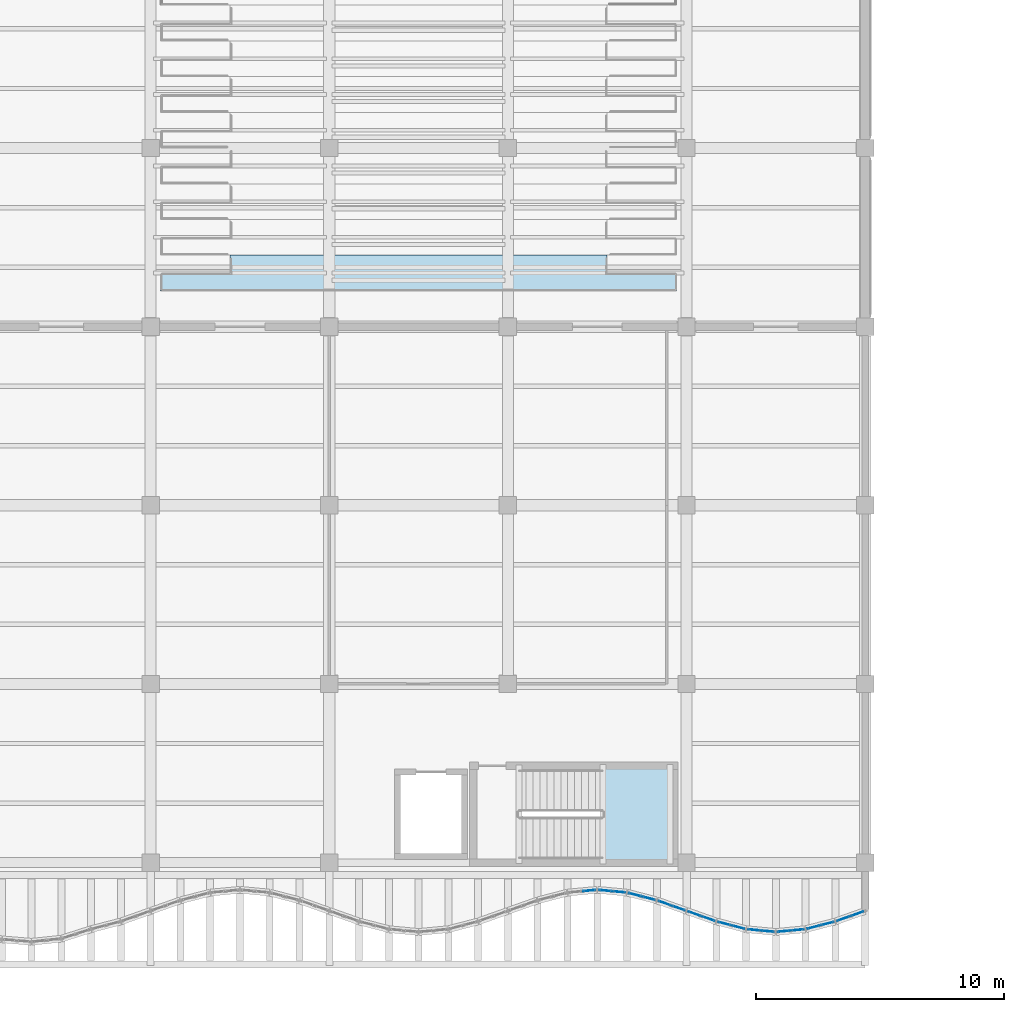
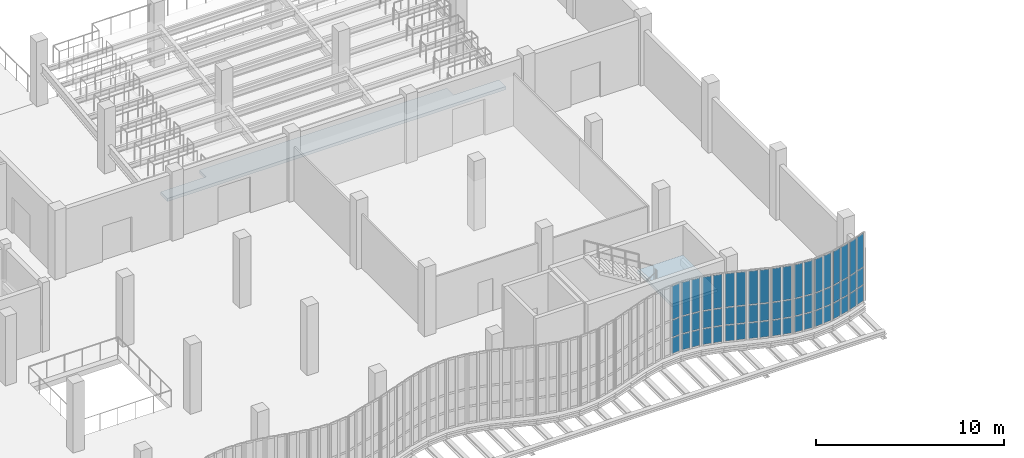
# One storey, part 82 of 108: 57 plates, 2 slabs, 11 elements without a shape of their own.
"""IFC4 building model written with IfcOpenShell, lengths in metres."""

from ifc_helpers import new_model, si_unit, direction, frame, origin, origin_2d, place, context, subcontext, project, spatial, polyline, rectangle, outline, extrude, material, layer, layer_set, type_object, element, aggregate, save


model = new_model("IFC4")

# Units and contexts
model_context = context("Model", 3, precision=1e-05, world=origin(), true_north=direction((0.0, 1.0)))
body_context = subcontext(model_context, "Body", "Model", "MODEL_VIEW")
ifc_project = project(units=[si_unit("LENGTHUNIT", "METRE"), si_unit("AREAUNIT", "SQUARE_METRE"), si_unit("VOLUMEUNIT", "CUBIC_METRE"), si_unit("PLANEANGLEUNIT", "RADIAN"), si_unit("MASSUNIT", "GRAM", prefix="KILO"), si_unit("THERMODYNAMICTEMPERATUREUNIT", "KELVIN"), si_unit("POWERUNIT", "WATT")], contexts=[model_context])

# Site, building, storey
site_placement = place(None, origin())
site = spatial("IfcSite", under=ifc_project, at=site_placement, CompositionType="ELEMENT")
building_placement = place(site_placement, origin())
building = spatial("IfcBuilding", under=site, at=building_placement, Name="Kaldorven Railside Theatre", CompositionType="ELEMENT")
storey_placement = place(building_placement, frame((0.0, 0.0, 5.39990234375)))
storey = spatial("IfcBuildingStorey", under=building, at=storey_placement, Name="L01", CompositionType="ELEMENT", Elevation=5.39990234375)

# Curtain wall, plates
ifc_material_1 = material(Name="Low-E laminated solar-control glass", Category="glass")
ifc_layer_1 = layer(ifc_material_1, 0.159912109375, Name="Low-E laminated solar-control glass")
ifc_layer_set_1 = layer_set([ifc_layer_1], Name="Low-E laminated solar-control glass")
curtain_wall_type_1 = type_object("IfcCurtainWallType", Name="CWT-03", PredefinedType="USERDEFINED", material=ifc_layer_set_1)
curtain_wall_1_placement = place(storey_placement, origin())
curtain_wall_1 = element("IfcCurtainWall", 1, at=curtain_wall_1_placement, inside=storey, type_object=curtain_wall_type_1, Name="Sinusoidal Fluted Curtain Wall CW-L01-S63", ObjectType="FLUTED GLAZING", PredefinedType="USERDEFINED")
ifc_layer_2 = layer(ifc_material_1, 0.028076171875, Name="Low-E laminated solar-control glass")
ifc_layer_set_2 = layer_set([ifc_layer_2], Name="Low-E laminated solar-control glass")
plate_type = type_object("IfcPlateType", Name="CWP-GLZ28", PredefinedType="CURTAIN_PANEL", material=ifc_layer_set_2)
plate_1_placement = place(storey_placement, frame((112.080078125, 18.069580078125, 0.06005859375), z_axis=(0.0, 0.0, 1.0), x_axis=(0.995525623425, 0.094491973758, 0.0)))
plate_1 = element("IfcPlate", 2, at=plate_1_placement, type_object=plate_type, Name="CW-L01-S63 panel 2.1", PredefinedType="CURTAIN_PANEL", context=body_context, shape_type="SweptSolid", body=[
    extrude(rectangle(XDim=0.482666015625, YDim=0.028076171875, at=origin_2d()), origin(), (0.0, 0.0, 1.0), 1.010009765625),
])
plate_2_placement = place(storey_placement, frame((112.080078125, 18.069580078125, 1.1298828125), z_axis=(0.0, 0.0, 1.0), x_axis=(0.995525623425, 0.094491973758, 0.0)))
plate_2 = element("IfcPlate", 3, at=plate_2_placement, type_object=plate_type, Name="CW-L01-S63 panel 2.2", PredefinedType="CURTAIN_PANEL", context=body_context, shape_type="SweptSolid", body=[
    extrude(rectangle(XDim=0.482666015625, YDim=0.028076171875, at=origin_2d()), origin(), (0.0, 0.0, 1.0), 1.090087890625),
])
plate_3_placement = place(storey_placement, frame((112.080078125, 18.069580078125, 2.2802734375), z_axis=(0.0, 0.0, 1.0), x_axis=(0.995525623425, 0.094491973758, 0.0)))
plate_3 = element("IfcPlate", 4, at=plate_3_placement, type_object=plate_type, Name="CW-L01-S63 panel 2.3", PredefinedType="CURTAIN_PANEL", context=body_context, shape_type="SweptSolid", body=[
    extrude(rectangle(XDim=0.482666015625, YDim=0.028076171875, at=origin_2d()), origin(), (0.0, 0.0, 1.0), 2.159912109375),
])
aggregate(curtain_wall_1, [plate_1, plate_2, plate_3])

curtain_wall_2_placement = place(storey_placement, origin())
curtain_wall_2 = element("IfcCurtainWall", 5, at=curtain_wall_2_placement, inside=storey, type_object=curtain_wall_type_1, Name="Sinusoidal Fluted Curtain Wall CW-L01-S64", ObjectType="FLUTED GLAZING", PredefinedType="USERDEFINED")
plate_4_placement = place(storey_placement, frame((112.719970703125, 18.069580078125, 0.06005859375), z_axis=(0.0, 0.0, 1.0), x_axis=(0.995525623425, -0.094491973758, 0.0)))
plate_4 = element("IfcPlate", 6, at=plate_4_placement, type_object=plate_type, Name="CW-L01-S64 panel 1.1", PredefinedType="CURTAIN_PANEL", context=body_context, shape_type="SweptSolid", body=[
    extrude(rectangle(XDim=0.482666015625, YDim=0.028076171875, at=origin_2d()), origin(), (0.0, 0.0, 1.0), 1.010009765625),
])
plate_5_placement = place(storey_placement, frame((112.719970703125, 18.069580078125, 1.1298828125), z_axis=(0.0, 0.0, 1.0), x_axis=(0.995525623425, -0.094491973758, 0.0)))
plate_5 = element("IfcPlate", 7, at=plate_5_placement, type_object=plate_type, Name="CW-L01-S64 panel 1.2", PredefinedType="CURTAIN_PANEL", context=body_context, shape_type="SweptSolid", body=[
    extrude(rectangle(XDim=0.482666015625, YDim=0.028076171875, at=origin_2d()), origin(), (0.0, 0.0, 1.0), 1.090087890625),
])
plate_6_placement = place(storey_placement, frame((112.719970703125, 18.069580078125, 2.2802734375), z_axis=(0.0, 0.0, 1.0), x_axis=(0.995525623425, -0.094491973758, 0.0)))
plate_6 = element("IfcPlate", 8, at=plate_6_placement, type_object=plate_type, Name="CW-L01-S64 panel 1.3", PredefinedType="CURTAIN_PANEL", context=body_context, shape_type="SweptSolid", body=[
    extrude(rectangle(XDim=0.482666015625, YDim=0.028076171875, at=origin_2d()), origin(), (0.0, 0.0, 1.0), 2.159912109375),
])
plate_7_placement = place(storey_placement, frame((113.280029296875, 18.016357421875, 0.06005859375), z_axis=(0.0, 0.0, 1.0), x_axis=(0.995525623425, -0.094491973758, 0.0)))
plate_7 = element("IfcPlate", 9, at=plate_7_placement, type_object=plate_type, Name="CW-L01-S64 panel 2.1", PredefinedType="CURTAIN_PANEL", context=body_context, shape_type="SweptSolid", body=[
    extrude(rectangle(XDim=0.482666015625, YDim=0.028076171875, at=origin_2d()), origin(), (0.0, 0.0, 1.0), 1.010009765625),
])
plate_8_placement = place(storey_placement, frame((113.280029296875, 18.016357421875, 1.1298828125), z_axis=(0.0, 0.0, 1.0), x_axis=(0.995525623425, -0.094491973758, 0.0)))
plate_8 = element("IfcPlate", 10, at=plate_8_placement, type_object=plate_type, Name="CW-L01-S64 panel 2.2", PredefinedType="CURTAIN_PANEL", context=body_context, shape_type="SweptSolid", body=[
    extrude(rectangle(XDim=0.482666015625, YDim=0.028076171875, at=origin_2d()), origin(), (0.0, 0.0, 1.0), 1.090087890625),
])
plate_9_placement = place(storey_placement, frame((113.280029296875, 18.016357421875, 2.2802734375), z_axis=(0.0, 0.0, 1.0), x_axis=(0.995525623425, -0.094491973758, 0.0)))
plate_9 = element("IfcPlate", 11, at=plate_9_placement, type_object=plate_type, Name="CW-L01-S64 panel 2.3", PredefinedType="CURTAIN_PANEL", context=body_context, shape_type="SweptSolid", body=[
    extrude(rectangle(XDim=0.482666015625, YDim=0.028076171875, at=origin_2d()), origin(), (0.0, 0.0, 1.0), 2.159912109375),
])
aggregate(curtain_wall_2, [plate_4, plate_5, plate_6, plate_7, plate_8, plate_9])

ifc_layer_3 = layer(ifc_material_1, 0.159912109375, Name="Low-E laminated solar-control glass")
ifc_layer_set_3 = layer_set([ifc_layer_3], Name="Low-E laminated solar-control glass")
curtain_wall_type_2 = type_object("IfcCurtainWallType", Name="CWT-02", PredefinedType="USERDEFINED", material=ifc_layer_set_3)
curtain_wall_3_placement = place(storey_placement, origin())
curtain_wall_3 = element("IfcCurtainWall", 12, at=curtain_wall_3_placement, inside=storey, type_object=curtain_wall_type_2, Name="Sinusoidal Fluted Curtain Wall CW-L01-S65", ObjectType="FLUTED GLAZING", PredefinedType="USERDEFINED")
plate_10_placement = place(storey_placement, frame((113.91943359375, 17.9033203125, 0.06005859375), z_axis=(0.0, 0.0, 1.0), x_axis=(0.967999075505, -0.250953760326, 0.0)))
plate_10 = element("IfcPlate", 13, at=plate_10_placement, type_object=plate_type, Name="CW-L01-S65 panel 1.1", PredefinedType="CURTAIN_PANEL", context=body_context, shape_type="SweptSolid", body=[
    extrude(rectangle(XDim=0.499755859375, YDim=0.028076171875, at=origin_2d()), origin(), (0.0, 0.0, 1.0), 1.010009765625),
])
plate_11_placement = place(storey_placement, frame((113.91943359375, 17.9033203125, 1.1298828125), z_axis=(0.0, 0.0, 1.0), x_axis=(0.967999075505, -0.250953760326, 0.0)))
plate_11 = element("IfcPlate", 14, at=plate_11_placement, type_object=plate_type, Name="CW-L01-S65 panel 1.2", PredefinedType="CURTAIN_PANEL", context=body_context, shape_type="SweptSolid", body=[
    extrude(rectangle(XDim=0.499755859375, YDim=0.028076171875, at=origin_2d()), origin(), (0.0, 0.0, 1.0), 1.090087890625),
])
plate_12_placement = place(storey_placement, frame((113.91943359375, 17.9033203125, 2.2802734375), z_axis=(0.0, 0.0, 1.0), x_axis=(0.967999075505, -0.250953760326, 0.0)))
plate_12 = element("IfcPlate", 15, at=plate_12_placement, type_object=plate_type, Name="CW-L01-S65 panel 1.3", PredefinedType="CURTAIN_PANEL", context=body_context, shape_type="SweptSolid", body=[
    extrude(rectangle(XDim=0.499755859375, YDim=0.028076171875, at=origin_2d()), origin(), (0.0, 0.0, 1.0), 2.159912109375),
])
plate_13_placement = place(storey_placement, frame((114.480712890625, 17.7578125, 0.06005859375), z_axis=(0.0, 0.0, 1.0), x_axis=(0.967999075505, -0.250953760326, 0.0)))
plate_13 = element("IfcPlate", 16, at=plate_13_placement, type_object=plate_type, Name="CW-L01-S65 panel 2.1", PredefinedType="CURTAIN_PANEL", context=body_context, shape_type="SweptSolid", body=[
    extrude(rectangle(XDim=0.499755859375, YDim=0.028076171875, at=origin_2d()), origin(), (0.0, 0.0, 1.0), 1.010009765625),
])
plate_14_placement = place(storey_placement, frame((114.480712890625, 17.7578125, 1.1298828125), z_axis=(0.0, 0.0, 1.0), x_axis=(0.967999075505, -0.250953760326, 0.0)))
plate_14 = element("IfcPlate", 17, at=plate_14_placement, type_object=plate_type, Name="CW-L01-S65 panel 2.2", PredefinedType="CURTAIN_PANEL", context=body_context, shape_type="SweptSolid", body=[
    extrude(rectangle(XDim=0.499755859375, YDim=0.028076171875, at=origin_2d()), origin(), (0.0, 0.0, 1.0), 1.090087890625),
])
plate_15_placement = place(storey_placement, frame((114.480712890625, 17.7578125, 2.2802734375), z_axis=(0.0, 0.0, 1.0), x_axis=(0.967999075505, -0.250953760326, 0.0)))
plate_15 = element("IfcPlate", 18, at=plate_15_placement, type_object=plate_type, Name="CW-L01-S65 panel 2.3", PredefinedType="CURTAIN_PANEL", context=body_context, shape_type="SweptSolid", body=[
    extrude(rectangle(XDim=0.499755859375, YDim=0.028076171875, at=origin_2d()), origin(), (0.0, 0.0, 1.0), 2.159912109375),
])
aggregate(curtain_wall_3, [plate_10, plate_11, plate_12, plate_13, plate_14, plate_15])

ifc_layer_4 = layer(ifc_material_1, 0.159912109375, Name="Low-E laminated solar-control glass")
ifc_layer_set_4 = layer_set([ifc_layer_4], Name="Low-E laminated solar-control glass")
curtain_wall_type_3 = type_object("IfcCurtainWallType", Name="CWT-01", PredefinedType="USERDEFINED", material=ifc_layer_set_4)
curtain_wall_4_placement = place(storey_placement, origin())
curtain_wall_4 = element("IfcCurtainWall", 19, at=curtain_wall_4_placement, inside=storey, type_object=curtain_wall_type_3, Name="Sinusoidal Fluted Curtain Wall CW-L01-S66", ObjectType="FLUTED GLAZING", PredefinedType="USERDEFINED")
plate_16_placement = place(storey_placement, frame((115.118896484375, 17.56201171875, 0.06005859375), z_axis=(0.0, 0.0, 1.0), x_axis=(0.942627225159, -0.33384714225, 0.0)))
plate_16 = element("IfcPlate", 20, at=plate_16_placement, type_object=plate_type, Name="CW-L01-S66 panel 1.1", PredefinedType="CURTAIN_PANEL", context=body_context, shape_type="SweptSolid", body=[
    extrude(rectangle(XDim=0.5166015625, YDim=0.028076171875, at=origin_2d()), origin(), (0.0, 0.0, 1.0), 1.010009765625),
])
plate_17_placement = place(storey_placement, frame((115.118896484375, 17.56201171875, 1.1298828125), z_axis=(0.0, 0.0, 1.0), x_axis=(0.942627225159, -0.33384714225, 0.0)))
plate_17 = element("IfcPlate", 21, at=plate_17_placement, type_object=plate_type, Name="CW-L01-S66 panel 1.2", PredefinedType="CURTAIN_PANEL", context=body_context, shape_type="SweptSolid", body=[
    extrude(rectangle(XDim=0.5166015625, YDim=0.028076171875, at=origin_2d()), origin(), (0.0, 0.0, 1.0), 1.090087890625),
])
plate_18_placement = place(storey_placement, frame((115.118896484375, 17.56201171875, 2.2802734375), z_axis=(0.0, 0.0, 1.0), x_axis=(0.942627225159, -0.33384714225, 0.0)))
plate_18 = element("IfcPlate", 22, at=plate_18_placement, type_object=plate_type, Name="CW-L01-S66 panel 1.3", PredefinedType="CURTAIN_PANEL", context=body_context, shape_type="SweptSolid", body=[
    extrude(rectangle(XDim=0.5166015625, YDim=0.028076171875, at=origin_2d()), origin(), (0.0, 0.0, 1.0), 2.159912109375),
])
plate_19_placement = place(storey_placement, frame((115.68115234375, 17.363037109375, 0.06005859375), z_axis=(0.0, 0.0, 1.0), x_axis=(0.942627225159, -0.33384714225, 0.0)))
plate_19 = element("IfcPlate", 23, at=plate_19_placement, type_object=plate_type, Name="CW-L01-S66 panel 2.1", PredefinedType="CURTAIN_PANEL", context=body_context, shape_type="SweptSolid", body=[
    extrude(rectangle(XDim=0.5166015625, YDim=0.028076171875, at=origin_2d()), origin(), (0.0, 0.0, 1.0), 1.010009765625),
])
plate_20_placement = place(storey_placement, frame((115.68115234375, 17.363037109375, 1.1298828125), z_axis=(0.0, 0.0, 1.0), x_axis=(0.942627225159, -0.33384714225, 0.0)))
plate_20 = element("IfcPlate", 24, at=plate_20_placement, type_object=plate_type, Name="CW-L01-S66 panel 2.2", PredefinedType="CURTAIN_PANEL", context=body_context, shape_type="SweptSolid", body=[
    extrude(rectangle(XDim=0.5166015625, YDim=0.028076171875, at=origin_2d()), origin(), (0.0, 0.0, 1.0), 1.090087890625),
])
plate_21_placement = place(storey_placement, frame((115.68115234375, 17.363037109375, 2.2802734375), z_axis=(0.0, 0.0, 1.0), x_axis=(0.942627225159, -0.33384714225, 0.0)))
plate_21 = element("IfcPlate", 25, at=plate_21_placement, type_object=plate_type, Name="CW-L01-S66 panel 2.3", PredefinedType="CURTAIN_PANEL", context=body_context, shape_type="SweptSolid", body=[
    extrude(rectangle(XDim=0.5166015625, YDim=0.028076171875, at=origin_2d()), origin(), (0.0, 0.0, 1.0), 2.159912109375),
])
aggregate(curtain_wall_4, [plate_16, plate_17, plate_18, plate_19, plate_20, plate_21])

curtain_wall_5_placement = place(storey_placement, origin())
curtain_wall_5 = element("IfcCurtainWall", 26, at=curtain_wall_5_placement, inside=storey, type_object=curtain_wall_type_3, Name="Sinusoidal Fluted Curtain Wall CW-L01-S67", ObjectType="FLUTED GLAZING", PredefinedType="USERDEFINED")
plate_22_placement = place(storey_placement, frame((116.31884765625, 17.136962890625, 0.06005859375), z_axis=(0.0, 0.0, 1.0), x_axis=(0.942627225159, -0.33384714225, 0.0)))
plate_22 = element("IfcPlate", 27, at=plate_22_placement, type_object=plate_type, Name="CW-L01-S67 panel 1.1", PredefinedType="CURTAIN_PANEL", context=body_context, shape_type="SweptSolid", body=[
    extrude(rectangle(XDim=0.5166015625, YDim=0.028076171875, at=origin_2d()), origin(), (0.0, 0.0, 1.0), 1.010009765625),
])
plate_23_placement = place(storey_placement, frame((116.31884765625, 17.136962890625, 1.1298828125), z_axis=(0.0, 0.0, 1.0), x_axis=(0.942627225159, -0.33384714225, 0.0)))
plate_23 = element("IfcPlate", 28, at=plate_23_placement, type_object=plate_type, Name="CW-L01-S67 panel 1.2", PredefinedType="CURTAIN_PANEL", context=body_context, shape_type="SweptSolid", body=[
    extrude(rectangle(XDim=0.5166015625, YDim=0.028076171875, at=origin_2d()), origin(), (0.0, 0.0, 1.0), 1.090087890625),
])
plate_24_placement = place(storey_placement, frame((116.31884765625, 17.136962890625, 2.2802734375), z_axis=(0.0, 0.0, 1.0), x_axis=(0.942627225159, -0.33384714225, 0.0)))
plate_24 = element("IfcPlate", 29, at=plate_24_placement, type_object=plate_type, Name="CW-L01-S67 panel 1.3", PredefinedType="CURTAIN_PANEL", context=body_context, shape_type="SweptSolid", body=[
    extrude(rectangle(XDim=0.5166015625, YDim=0.028076171875, at=origin_2d()), origin(), (0.0, 0.0, 1.0), 2.159912109375),
])
plate_25_placement = place(storey_placement, frame((116.881103515625, 16.93798828125, 0.06005859375), z_axis=(0.0, 0.0, 1.0), x_axis=(0.942627225159, -0.33384714225, 0.0)))
plate_25 = element("IfcPlate", 30, at=plate_25_placement, type_object=plate_type, Name="CW-L01-S67 panel 2.1", PredefinedType="CURTAIN_PANEL", context=body_context, shape_type="SweptSolid", body=[
    extrude(rectangle(XDim=0.5166015625, YDim=0.028076171875, at=origin_2d()), origin(), (0.0, 0.0, 1.0), 1.010009765625),
])
plate_26_placement = place(storey_placement, frame((116.881103515625, 16.93798828125, 1.1298828125), z_axis=(0.0, 0.0, 1.0), x_axis=(0.942627225159, -0.33384714225, 0.0)))
plate_26 = element("IfcPlate", 31, at=plate_26_placement, type_object=plate_type, Name="CW-L01-S67 panel 2.2", PredefinedType="CURTAIN_PANEL", context=body_context, shape_type="SweptSolid", body=[
    extrude(rectangle(XDim=0.5166015625, YDim=0.028076171875, at=origin_2d()), origin(), (0.0, 0.0, 1.0), 1.090087890625),
])
plate_27_placement = place(storey_placement, frame((116.881103515625, 16.93798828125, 2.2802734375), z_axis=(0.0, 0.0, 1.0), x_axis=(0.942627225159, -0.33384714225, 0.0)))
plate_27 = element("IfcPlate", 32, at=plate_27_placement, type_object=plate_type, Name="CW-L01-S67 panel 2.3", PredefinedType="CURTAIN_PANEL", context=body_context, shape_type="SweptSolid", body=[
    extrude(rectangle(XDim=0.5166015625, YDim=0.028076171875, at=origin_2d()), origin(), (0.0, 0.0, 1.0), 2.159912109375),
])
aggregate(curtain_wall_5, [plate_22, plate_23, plate_24, plate_25, plate_26, plate_27])

curtain_wall_6_placement = place(storey_placement, origin())
curtain_wall_6 = element("IfcCurtainWall", 33, at=curtain_wall_6_placement, inside=storey, type_object=curtain_wall_type_2, Name="Sinusoidal Fluted Curtain Wall CW-L01-S68", ObjectType="FLUTED GLAZING", PredefinedType="USERDEFINED")
plate_28_placement = place(storey_placement, frame((117.519287109375, 16.7421875, 0.06005859375), z_axis=(0.0, 0.0, 1.0), x_axis=(0.967999075505, -0.250953760326, 0.0)))
plate_28 = element("IfcPlate", 34, at=plate_28_placement, type_object=plate_type, Name="CW-L01-S68 panel 1.1", PredefinedType="CURTAIN_PANEL", context=body_context, shape_type="SweptSolid", body=[
    extrude(rectangle(XDim=0.499755859375, YDim=0.028076171875, at=origin_2d()), origin(), (0.0, 0.0, 1.0), 1.010009765625),
])
plate_29_placement = place(storey_placement, frame((117.519287109375, 16.7421875, 1.1298828125), z_axis=(0.0, 0.0, 1.0), x_axis=(0.967999075505, -0.250953760326, 0.0)))
plate_29 = element("IfcPlate", 35, at=plate_29_placement, type_object=plate_type, Name="CW-L01-S68 panel 1.2", PredefinedType="CURTAIN_PANEL", context=body_context, shape_type="SweptSolid", body=[
    extrude(rectangle(XDim=0.499755859375, YDim=0.028076171875, at=origin_2d()), origin(), (0.0, 0.0, 1.0), 1.090087890625),
])
plate_30_placement = place(storey_placement, frame((117.519287109375, 16.7421875, 2.2802734375), z_axis=(0.0, 0.0, 1.0), x_axis=(0.967999075505, -0.250953760326, 0.0)))
plate_30 = element("IfcPlate", 36, at=plate_30_placement, type_object=plate_type, Name="CW-L01-S68 panel 1.3", PredefinedType="CURTAIN_PANEL", context=body_context, shape_type="SweptSolid", body=[
    extrude(rectangle(XDim=0.499755859375, YDim=0.028076171875, at=origin_2d()), origin(), (0.0, 0.0, 1.0), 2.159912109375),
])
plate_31_placement = place(storey_placement, frame((118.08056640625, 16.5966796875, 0.06005859375), z_axis=(0.0, 0.0, 1.0), x_axis=(0.967999075505, -0.250953760326, 0.0)))
plate_31 = element("IfcPlate", 37, at=plate_31_placement, type_object=plate_type, Name="CW-L01-S68 panel 2.1", PredefinedType="CURTAIN_PANEL", context=body_context, shape_type="SweptSolid", body=[
    extrude(rectangle(XDim=0.499755859375, YDim=0.028076171875, at=origin_2d()), origin(), (0.0, 0.0, 1.0), 1.010009765625),
])
plate_32_placement = place(storey_placement, frame((118.08056640625, 16.5966796875, 1.1298828125), z_axis=(0.0, 0.0, 1.0), x_axis=(0.967999075505, -0.250953760326, 0.0)))
plate_32 = element("IfcPlate", 38, at=plate_32_placement, type_object=plate_type, Name="CW-L01-S68 panel 2.2", PredefinedType="CURTAIN_PANEL", context=body_context, shape_type="SweptSolid", body=[
    extrude(rectangle(XDim=0.499755859375, YDim=0.028076171875, at=origin_2d()), origin(), (0.0, 0.0, 1.0), 1.090087890625),
])
plate_33_placement = place(storey_placement, frame((118.08056640625, 16.5966796875, 2.2802734375), z_axis=(0.0, 0.0, 1.0), x_axis=(0.967999075505, -0.250953760326, 0.0)))
plate_33 = element("IfcPlate", 39, at=plate_33_placement, type_object=plate_type, Name="CW-L01-S68 panel 2.3", PredefinedType="CURTAIN_PANEL", context=body_context, shape_type="SweptSolid", body=[
    extrude(rectangle(XDim=0.499755859375, YDim=0.028076171875, at=origin_2d()), origin(), (0.0, 0.0, 1.0), 2.159912109375),
])
aggregate(curtain_wall_6, [plate_28, plate_29, plate_30, plate_31, plate_32, plate_33])

curtain_wall_7_placement = place(storey_placement, origin())
curtain_wall_7 = element("IfcCurtainWall", 40, at=curtain_wall_7_placement, inside=storey, type_object=curtain_wall_type_1, Name="Sinusoidal Fluted Curtain Wall CW-L01-S69", ObjectType="FLUTED GLAZING", PredefinedType="USERDEFINED")
plate_34_placement = place(storey_placement, frame((118.719970703125, 16.483642578125, 0.06005859375), z_axis=(0.0, 0.0, 1.0), x_axis=(0.995525623425, -0.094491973758, 0.0)))
plate_34 = element("IfcPlate", 41, at=plate_34_placement, type_object=plate_type, Name="CW-L01-S69 panel 1.1", PredefinedType="CURTAIN_PANEL", context=body_context, shape_type="SweptSolid", body=[
    extrude(rectangle(XDim=0.482666015625, YDim=0.028076171875, at=origin_2d()), origin(), (0.0, 0.0, 1.0), 1.010009765625),
])
plate_35_placement = place(storey_placement, frame((118.719970703125, 16.483642578125, 1.1298828125), z_axis=(0.0, 0.0, 1.0), x_axis=(0.995525623425, -0.094491973758, 0.0)))
plate_35 = element("IfcPlate", 42, at=plate_35_placement, type_object=plate_type, Name="CW-L01-S69 panel 1.2", PredefinedType="CURTAIN_PANEL", context=body_context, shape_type="SweptSolid", body=[
    extrude(rectangle(XDim=0.482666015625, YDim=0.028076171875, at=origin_2d()), origin(), (0.0, 0.0, 1.0), 1.090087890625),
])
plate_36_placement = place(storey_placement, frame((118.719970703125, 16.483642578125, 2.2802734375), z_axis=(0.0, 0.0, 1.0), x_axis=(0.995525623425, -0.094491973758, 0.0)))
plate_36 = element("IfcPlate", 43, at=plate_36_placement, type_object=plate_type, Name="CW-L01-S69 panel 1.3", PredefinedType="CURTAIN_PANEL", context=body_context, shape_type="SweptSolid", body=[
    extrude(rectangle(XDim=0.482666015625, YDim=0.028076171875, at=origin_2d()), origin(), (0.0, 0.0, 1.0), 2.159912109375),
])
plate_37_placement = place(storey_placement, frame((119.280029296875, 16.430419921875, 0.06005859375), z_axis=(0.0, 0.0, 1.0), x_axis=(0.995525623425, -0.094491973758, 0.0)))
plate_37 = element("IfcPlate", 44, at=plate_37_placement, type_object=plate_type, Name="CW-L01-S69 panel 2.1", PredefinedType="CURTAIN_PANEL", context=body_context, shape_type="SweptSolid", body=[
    extrude(rectangle(XDim=0.482666015625, YDim=0.028076171875, at=origin_2d()), origin(), (0.0, 0.0, 1.0), 1.010009765625),
])
plate_38_placement = place(storey_placement, frame((119.280029296875, 16.430419921875, 1.1298828125), z_axis=(0.0, 0.0, 1.0), x_axis=(0.995525623425, -0.094491973758, 0.0)))
plate_38 = element("IfcPlate", 45, at=plate_38_placement, type_object=plate_type, Name="CW-L01-S69 panel 2.2", PredefinedType="CURTAIN_PANEL", context=body_context, shape_type="SweptSolid", body=[
    extrude(rectangle(XDim=0.482666015625, YDim=0.028076171875, at=origin_2d()), origin(), (0.0, 0.0, 1.0), 1.090087890625),
])
plate_39_placement = place(storey_placement, frame((119.280029296875, 16.430419921875, 2.2802734375), z_axis=(0.0, 0.0, 1.0), x_axis=(0.995525623425, -0.094491973758, 0.0)))
plate_39 = element("IfcPlate", 46, at=plate_39_placement, type_object=plate_type, Name="CW-L01-S69 panel 2.3", PredefinedType="CURTAIN_PANEL", context=body_context, shape_type="SweptSolid", body=[
    extrude(rectangle(XDim=0.482666015625, YDim=0.028076171875, at=origin_2d()), origin(), (0.0, 0.0, 1.0), 2.159912109375),
])
aggregate(curtain_wall_7, [plate_34, plate_35, plate_36, plate_37, plate_38, plate_39])

curtain_wall_8_placement = place(storey_placement, origin())
curtain_wall_8 = element("IfcCurtainWall", 47, at=curtain_wall_8_placement, inside=storey, type_object=curtain_wall_type_1, Name="Sinusoidal Fluted Curtain Wall CW-L01-S70", ObjectType="FLUTED GLAZING", PredefinedType="USERDEFINED")
plate_40_placement = place(storey_placement, frame((119.919921875, 16.430419921875, 0.06005859375), z_axis=(0.0, 0.0, 1.0), x_axis=(0.995525623425, 0.094491973758, 0.0)))
plate_40 = element("IfcPlate", 48, at=plate_40_placement, type_object=plate_type, Name="CW-L01-S70 panel 1.1", PredefinedType="CURTAIN_PANEL", context=body_context, shape_type="SweptSolid", body=[
    extrude(rectangle(XDim=0.482666015625, YDim=0.028076171875, at=origin_2d()), origin(), (0.0, 0.0, 1.0), 1.010009765625),
])
plate_41_placement = place(storey_placement, frame((119.919921875, 16.430419921875, 1.1298828125), z_axis=(0.0, 0.0, 1.0), x_axis=(0.995525623425, 0.094491973758, 0.0)))
plate_41 = element("IfcPlate", 49, at=plate_41_placement, type_object=plate_type, Name="CW-L01-S70 panel 1.2", PredefinedType="CURTAIN_PANEL", context=body_context, shape_type="SweptSolid", body=[
    extrude(rectangle(XDim=0.482666015625, YDim=0.028076171875, at=origin_2d()), origin(), (0.0, 0.0, 1.0), 1.090087890625),
])
plate_42_placement = place(storey_placement, frame((119.919921875, 16.430419921875, 2.2802734375), z_axis=(0.0, 0.0, 1.0), x_axis=(0.995525623425, 0.094491973758, 0.0)))
plate_42 = element("IfcPlate", 50, at=plate_42_placement, type_object=plate_type, Name="CW-L01-S70 panel 1.3", PredefinedType="CURTAIN_PANEL", context=body_context, shape_type="SweptSolid", body=[
    extrude(rectangle(XDim=0.482666015625, YDim=0.028076171875, at=origin_2d()), origin(), (0.0, 0.0, 1.0), 2.159912109375),
])
plate_43_placement = place(storey_placement, frame((120.47998046875, 16.483642578125, 0.06005859375), z_axis=(0.0, 0.0, 1.0), x_axis=(0.995525623425, 0.094491973758, 0.0)))
plate_43 = element("IfcPlate", 51, at=plate_43_placement, type_object=plate_type, Name="CW-L01-S70 panel 2.1", PredefinedType="CURTAIN_PANEL", context=body_context, shape_type="SweptSolid", body=[
    extrude(rectangle(XDim=0.482666015625, YDim=0.028076171875, at=origin_2d()), origin(), (0.0, 0.0, 1.0), 1.010009765625),
])
plate_44_placement = place(storey_placement, frame((120.47998046875, 16.483642578125, 1.1298828125), z_axis=(0.0, 0.0, 1.0), x_axis=(0.995525623425, 0.094491973758, 0.0)))
plate_44 = element("IfcPlate", 52, at=plate_44_placement, type_object=plate_type, Name="CW-L01-S70 panel 2.2", PredefinedType="CURTAIN_PANEL", context=body_context, shape_type="SweptSolid", body=[
    extrude(rectangle(XDim=0.482666015625, YDim=0.028076171875, at=origin_2d()), origin(), (0.0, 0.0, 1.0), 1.090087890625),
])
plate_45_placement = place(storey_placement, frame((120.47998046875, 16.483642578125, 2.2802734375), z_axis=(0.0, 0.0, 1.0), x_axis=(0.995525623425, 0.094491973758, 0.0)))
plate_45 = element("IfcPlate", 53, at=plate_45_placement, type_object=plate_type, Name="CW-L01-S70 panel 2.3", PredefinedType="CURTAIN_PANEL", context=body_context, shape_type="SweptSolid", body=[
    extrude(rectangle(XDim=0.482666015625, YDim=0.028076171875, at=origin_2d()), origin(), (0.0, 0.0, 1.0), 2.159912109375),
])
aggregate(curtain_wall_8, [plate_40, plate_41, plate_42, plate_43, plate_44, plate_45])

curtain_wall_9_placement = place(storey_placement, origin())
curtain_wall_9 = element("IfcCurtainWall", 54, at=curtain_wall_9_placement, inside=storey, type_object=curtain_wall_type_2, Name="Sinusoidal Fluted Curtain Wall CW-L01-S71", ObjectType="FLUTED GLAZING", PredefinedType="USERDEFINED")
plate_46_placement = place(storey_placement, frame((121.119384765625, 16.5966796875, 0.06005859375), z_axis=(0.0, 0.0, 1.0), x_axis=(0.967999075505, 0.250953760326, 0.0)))
plate_46 = element("IfcPlate", 55, at=plate_46_placement, type_object=plate_type, Name="CW-L01-S71 panel 1.1", PredefinedType="CURTAIN_PANEL", context=body_context, shape_type="SweptSolid", body=[
    extrude(rectangle(XDim=0.499755859375, YDim=0.028076171875, at=origin_2d()), origin(), (0.0, 0.0, 1.0), 1.010009765625),
])
plate_47_placement = place(storey_placement, frame((121.119384765625, 16.5966796875, 1.1298828125), z_axis=(0.0, 0.0, 1.0), x_axis=(0.967999075505, 0.250953760326, 0.0)))
plate_47 = element("IfcPlate", 56, at=plate_47_placement, type_object=plate_type, Name="CW-L01-S71 panel 1.2", PredefinedType="CURTAIN_PANEL", context=body_context, shape_type="SweptSolid", body=[
    extrude(rectangle(XDim=0.499755859375, YDim=0.028076171875, at=origin_2d()), origin(), (0.0, 0.0, 1.0), 1.090087890625),
])
plate_48_placement = place(storey_placement, frame((121.119384765625, 16.5966796875, 2.2802734375), z_axis=(0.0, 0.0, 1.0), x_axis=(0.967999075505, 0.250953760326, 0.0)))
plate_48 = element("IfcPlate", 57, at=plate_48_placement, type_object=plate_type, Name="CW-L01-S71 panel 1.3", PredefinedType="CURTAIN_PANEL", context=body_context, shape_type="SweptSolid", body=[
    extrude(rectangle(XDim=0.499755859375, YDim=0.028076171875, at=origin_2d()), origin(), (0.0, 0.0, 1.0), 2.159912109375),
])
plate_49_placement = place(storey_placement, frame((121.6806640625, 16.7421875, 0.06005859375), z_axis=(0.0, 0.0, 1.0), x_axis=(0.967999075505, 0.250953760326, 0.0)))
plate_49 = element("IfcPlate", 58, at=plate_49_placement, type_object=plate_type, Name="CW-L01-S71 panel 2.1", PredefinedType="CURTAIN_PANEL", context=body_context, shape_type="SweptSolid", body=[
    extrude(rectangle(XDim=0.499755859375, YDim=0.028076171875, at=origin_2d()), origin(), (0.0, 0.0, 1.0), 1.010009765625),
])
plate_50_placement = place(storey_placement, frame((121.6806640625, 16.7421875, 1.1298828125), z_axis=(0.0, 0.0, 1.0), x_axis=(0.967999075505, 0.250953760326, 0.0)))
plate_50 = element("IfcPlate", 59, at=plate_50_placement, type_object=plate_type, Name="CW-L01-S71 panel 2.2", PredefinedType="CURTAIN_PANEL", context=body_context, shape_type="SweptSolid", body=[
    extrude(rectangle(XDim=0.499755859375, YDim=0.028076171875, at=origin_2d()), origin(), (0.0, 0.0, 1.0), 1.090087890625),
])
plate_51_placement = place(storey_placement, frame((121.6806640625, 16.7421875, 2.2802734375), z_axis=(0.0, 0.0, 1.0), x_axis=(0.967999075505, 0.250953760326, 0.0)))
plate_51 = element("IfcPlate", 60, at=plate_51_placement, type_object=plate_type, Name="CW-L01-S71 panel 2.3", PredefinedType="CURTAIN_PANEL", context=body_context, shape_type="SweptSolid", body=[
    extrude(rectangle(XDim=0.499755859375, YDim=0.028076171875, at=origin_2d()), origin(), (0.0, 0.0, 1.0), 2.159912109375),
])
aggregate(curtain_wall_9, [plate_46, plate_47, plate_48, plate_49, plate_50, plate_51])

curtain_wall_10_placement = place(storey_placement, origin())
curtain_wall_10 = element("IfcCurtainWall", 61, at=curtain_wall_10_placement, inside=storey, type_object=curtain_wall_type_3, Name="Sinusoidal Fluted Curtain Wall CW-L01-S72", ObjectType="FLUTED GLAZING", PredefinedType="USERDEFINED")
plate_52_placement = place(storey_placement, frame((122.31884765625, 16.93798828125, 0.06005859375), z_axis=(0.0, 0.0, 1.0), x_axis=(0.942627225159, 0.33384714225, 0.0)))
plate_52 = element("IfcPlate", 62, at=plate_52_placement, type_object=plate_type, Name="CW-L01-S72 panel 1.1", PredefinedType="CURTAIN_PANEL", context=body_context, shape_type="SweptSolid", body=[
    extrude(rectangle(XDim=0.5166015625, YDim=0.028076171875, at=origin_2d()), origin(), (0.0, 0.0, 1.0), 1.010009765625),
])
plate_53_placement = place(storey_placement, frame((122.31884765625, 16.93798828125, 1.1298828125), z_axis=(0.0, 0.0, 1.0), x_axis=(0.942627225159, 0.33384714225, 0.0)))
plate_53 = element("IfcPlate", 63, at=plate_53_placement, type_object=plate_type, Name="CW-L01-S72 panel 1.2", PredefinedType="CURTAIN_PANEL", context=body_context, shape_type="SweptSolid", body=[
    extrude(rectangle(XDim=0.5166015625, YDim=0.028076171875, at=origin_2d()), origin(), (0.0, 0.0, 1.0), 1.090087890625),
])
plate_54_placement = place(storey_placement, frame((122.31884765625, 16.93798828125, 2.2802734375), z_axis=(0.0, 0.0, 1.0), x_axis=(0.942627225159, 0.33384714225, 0.0)))
plate_54 = element("IfcPlate", 64, at=plate_54_placement, type_object=plate_type, Name="CW-L01-S72 panel 1.3", PredefinedType="CURTAIN_PANEL", context=body_context, shape_type="SweptSolid", body=[
    extrude(rectangle(XDim=0.5166015625, YDim=0.028076171875, at=origin_2d()), origin(), (0.0, 0.0, 1.0), 2.159912109375),
])
plate_55_placement = place(storey_placement, frame((122.881103515625, 17.136962890625, 0.06005859375), z_axis=(0.0, 0.0, 1.0), x_axis=(0.942627225159, 0.33384714225, 0.0)))
plate_55 = element("IfcPlate", 65, at=plate_55_placement, type_object=plate_type, Name="CW-L01-S72 panel 2.1", PredefinedType="CURTAIN_PANEL", context=body_context, shape_type="SweptSolid", body=[
    extrude(rectangle(XDim=0.5166015625, YDim=0.028076171875, at=origin_2d()), origin(), (0.0, 0.0, 1.0), 1.010009765625),
])
plate_56_placement = place(storey_placement, frame((122.881103515625, 17.136962890625, 1.1298828125), z_axis=(0.0, 0.0, 1.0), x_axis=(0.942627225159, 0.33384714225, 0.0)))
plate_56 = element("IfcPlate", 66, at=plate_56_placement, type_object=plate_type, Name="CW-L01-S72 panel 2.2", PredefinedType="CURTAIN_PANEL", context=body_context, shape_type="SweptSolid", body=[
    extrude(rectangle(XDim=0.5166015625, YDim=0.028076171875, at=origin_2d()), origin(), (0.0, 0.0, 1.0), 1.090087890625),
])
plate_57_placement = place(storey_placement, frame((122.881103515625, 17.136962890625, 2.2802734375), z_axis=(0.0, 0.0, 1.0), x_axis=(0.942627225159, 0.33384714225, 0.0)))
plate_57 = element("IfcPlate", 67, at=plate_57_placement, type_object=plate_type, Name="CW-L01-S72 panel 2.3", PredefinedType="CURTAIN_PANEL", context=body_context, shape_type="SweptSolid", body=[
    extrude(rectangle(XDim=0.5166015625, YDim=0.028076171875, at=origin_2d()), origin(), (0.0, 0.0, 1.0), 2.159912109375),
])
aggregate(curtain_wall_10, [plate_52, plate_53, plate_54, plate_55, plate_56, plate_57])

# Stair, slab
ifc_material_2 = material(Name="Concrete C35/45", Category="concrete")
stair_type = type_object("IfcStairType", Name="STR-DL-03", PredefinedType="HALF_TURN_STAIR", material=ifc_material_2)
stair_placement = place(storey_placement, origin())
stair = element("IfcStair", 68, at=stair_placement, inside=storey, type_object=stair_type, Name="L01 Core C-SE Escape Stair ST-04", PredefinedType="HALF_TURN_STAIR")
ifc_layer_5 = layer(ifc_material_2, 0.199951171875, Name="Concrete C35/45")
ifc_layer_set_5 = layer_set([ifc_layer_5], Name="Concrete C35/45")
slab_type_1 = type_object("IfcSlabType", Name="SLB-LSL-200", PredefinedType="LANDING", material=ifc_layer_set_5)
slab_1_placement = place(storey_placement, frame((0.0, 0.0, 2.050048828125)))
slab_1 = element("IfcSlab", 69, at=slab_1_placement, type_object=slab_type_1, Name="ST-04 landing 1", PredefinedType="LANDING", context=body_context, shape_type="SweptSolid", body=[
    extrude(outline(polyline([(112.5849609375, 19.320068359375), (115.3798828125, 19.320068359375), (115.3798828125, 22.97998046875), (112.5849609375, 22.97998046875), (112.5849609375, 19.320068359375)])), origin(), (0.0, 0.0, 1.0), 0.199951171875),
])
aggregate(stair, [slab_1])

# Slab
ifc_layer_6 = layer(ifc_material_2, 0.199951171875, Name="Concrete C35/45")
ifc_layer_set_6 = layer_set([ifc_layer_6], Name="Concrete C35/45")
slab_type_2 = type_object("IfcSlabType", Name="SLB-TIER-200", PredefinedType="USERDEFINED", material=ifc_layer_set_6)
slab_2_placement = place(storey_placement, frame((0.0, 0.0, 1.22998046875)))
element("IfcSlab", 70, at=slab_2_placement, inside=storey, type_object=slab_type_2, Name="V1D Seating Tier 02", ObjectType="SEATING TIER", PredefinedType="USERDEFINED", context=body_context, shape_type="SweptSolid", body=[
    extrude(outline(polyline([(94.800048828125, 42.239990234375), (115.60009765625, 42.239990234375), (115.60009765625, 42.9599609375), (112.800048828125, 42.9599609375), (112.800048828125, 43.679931640625), (97.60009765625, 43.679931640625), (97.60009765625, 42.9599609375), (94.800048828125, 42.9599609375), (94.800048828125, 42.239990234375)])), origin(), (0.0, 0.0, 1.0), 0.2001953125),
])

save(model, "model.ifc")
